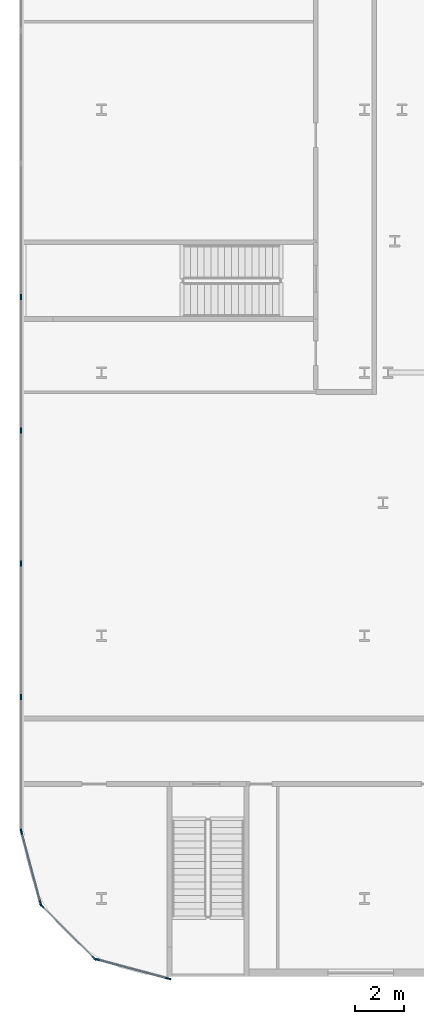
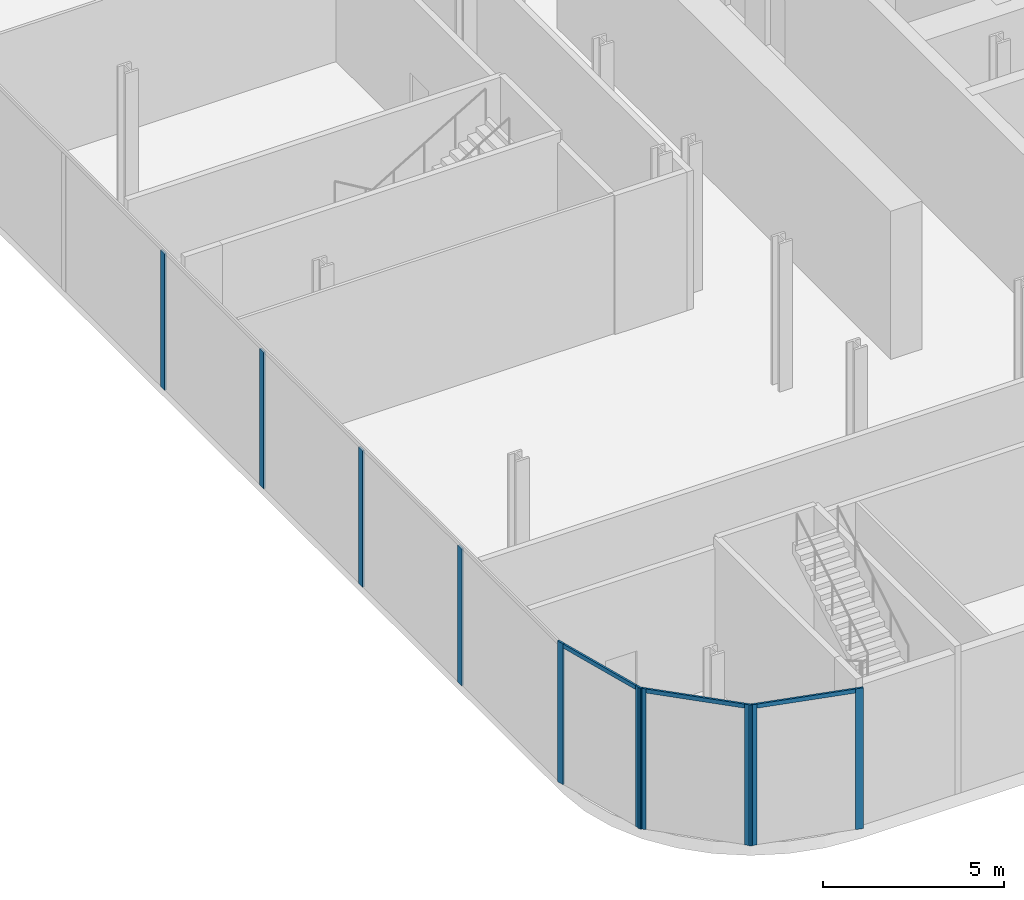
# One storey, part 5 of 47: 13 members, 4 elements without a shape of their own.
"""IFC4 building model written with IfcOpenShell, lengths in metres."""

from ifc_helpers import new_model, si_unit, direction, frame, origin, origin_2d, place, context, subcontext, project, spatial, rectangle, extrude, material, layer, layer_set, material_profile, profile_set, type_object, element, aggregate, save


model = new_model("IFC4")

# Units and contexts
model_context = context("Model", 3, precision=1e-05, world=origin(), true_north=direction((0.0, 1.0)))
body_context = subcontext(model_context, "Body", "Model", "MODEL_VIEW")
ifc_project = project(units=[si_unit("LENGTHUNIT", "METRE"), si_unit("AREAUNIT", "SQUARE_METRE"), si_unit("VOLUMEUNIT", "CUBIC_METRE"), si_unit("PLANEANGLEUNIT", "RADIAN"), si_unit("MASSUNIT", "GRAM", prefix="KILO")], contexts=[model_context])

# Site, building, storey
site_placement = place(None, origin())
site = spatial("IfcSite", under=ifc_project, at=site_placement, CompositionType="ELEMENT")
building_placement = place(site_placement, origin())
building = spatial("IfcBuilding", under=site, at=building_placement, Name="Kheshtan School and Residences Tower", CompositionType="ELEMENT")
storey_placement = place(building_placement, frame((0.0, 0.0, 7.5)))
storey = spatial("IfcBuildingStorey", under=building, at=storey_placement, Name="L01", CompositionType="ELEMENT", Elevation=7.5)

# Curtain wall, members
ifc_material_1 = material(Name="Clear low-e glass in thermally broken aluminium frame", Category="aluminium")
ifc_layer = layer(ifc_material_1, 0.22509765625)
ifc_layer_set = layer_set([ifc_layer], Name="Curtain wall CW-P")
curtain_wall_type = type_object("IfcCurtainWallType", Name="Curtain wall CW-P", PredefinedType="NOTDEFINED", material=ifc_layer_set)
curtain_wall_1_placement = place(storey_placement, origin())
curtain_wall_1 = element("IfcCurtainWall", 1, at=curtain_wall_1_placement, inside=storey, type_object=curtain_wall_type, Name="Curtain wall CWP13", PredefinedType="NOTDEFINED")
ifc_material_2 = material(Name="Thermally broken aluminium, dark bronze anodised", Category="aluminium")
ifc_material_profile_1 = material_profile(ifc_material_2, rectangle(XDim=0.06005859375, YDim=0.22509765625, at=origin_2d()), Name="CW-P mullion 60x225")
ifc_profile_set_1 = profile_set([ifc_material_profile_1], Name="Thermally broken aluminium, dark bronze anodised")
member_type_1 = type_object("IfcMemberType", Name="CW-P mullion 60x225", PredefinedType="MULLION", material=ifc_profile_set_1)
member_1_placement = place(storey_placement, frame((17.945068359375, 9.9111328125, 0.0), z_axis=(0.0, 0.0, 1.0), x_axis=(-0.258864833085, -0.965913556273, 0.0)))
member_1 = element("IfcMember", 2, at=member_1_placement, type_object=member_type_1, Name="CWP13 mullion 1", PredefinedType="MULLION", context=body_context, shape_type="SweptSolid", body=[
    extrude(rectangle(XDim=0.06005859375, YDim=0.22509765625, at=origin_2d()), origin(), (0.0, 0.0, 1.0), 4.75),
])
member_2_placement = place(storey_placement, frame((15.003173828125, 10.69970703125, 0.0), z_axis=(0.0, 0.0, 1.0), x_axis=(-0.258864833085, -0.965913556273, 0.0)))
member_2 = element("IfcMember", 3, at=member_2_placement, type_object=member_type_1, Name="CWP13 mullion 2", PredefinedType="MULLION", context=body_context, shape_type="SweptSolid", body=[
    extrude(rectangle(XDim=0.06005859375, YDim=0.22509765625, at=origin_2d()), origin(), (0.0, 0.0, 1.0), 4.75),
])

curtain_wall_2_placement = place(storey_placement, origin())
curtain_wall_2 = element("IfcCurtainWall", 4, at=curtain_wall_2_placement, inside=storey, type_object=curtain_wall_type, Name="Curtain wall CWP14", PredefinedType="NOTDEFINED")
member_3_placement = place(storey_placement, frame((14.907958984375, 10.75439453125, 0.0), z_axis=(0.0, 0.0, 1.0), x_axis=(-0.707106781187, -0.707106781187, 0.0)))
member_3 = element("IfcMember", 5, at=member_3_placement, type_object=member_type_1, Name="CWP14 mullion 1", PredefinedType="MULLION", context=body_context, shape_type="SweptSolid", body=[
    extrude(rectangle(XDim=0.06005859375, YDim=0.22509765625, at=origin_2d()), origin(), (0.0, 0.0, 1.0), 4.75),
])
member_4_placement = place(storey_placement, frame((12.75439453125, 12.907958984375, 0.0), z_axis=(0.0, 0.0, 1.0), x_axis=(-0.707106781187, -0.707106781187, 0.0)))
member_4 = element("IfcMember", 6, at=member_4_placement, type_object=member_type_1, Name="CWP14 mullion 2", PredefinedType="MULLION", context=body_context, shape_type="SweptSolid", body=[
    extrude(rectangle(XDim=0.06005859375, YDim=0.22509765625, at=origin_2d()), origin(), (0.0, 0.0, 1.0), 4.75),
])

curtain_wall_3_placement = place(storey_placement, origin())
curtain_wall_3 = element("IfcCurtainWall", 7, at=curtain_wall_3_placement, inside=storey, type_object=curtain_wall_type, Name="Curtain wall CWP15", PredefinedType="NOTDEFINED")
member_5_placement = place(storey_placement, frame((12.69970703125, 13.003173828125, 0.0), z_axis=(0.0, 0.0, 1.0), x_axis=(-0.965913556273, -0.258864833085, 0.0)))
member_5 = element("IfcMember", 8, at=member_5_placement, type_object=member_type_1, Name="CWP15 mullion 1", PredefinedType="MULLION", context=body_context, shape_type="SweptSolid", body=[
    extrude(rectangle(XDim=0.06005859375, YDim=0.22509765625, at=origin_2d()), origin(), (0.0, 0.0, 1.0), 4.75),
])
member_6_placement = place(storey_placement, frame((11.9111328125, 15.945068359375, 0.0), z_axis=(0.0, 0.0, 1.0), x_axis=(-0.965913556273, -0.258864833085, 0.0)))
member_6 = element("IfcMember", 9, at=member_6_placement, type_object=member_type_1, Name="CWP15 mullion 2", PredefinedType="MULLION", context=body_context, shape_type="SweptSolid", body=[
    extrude(rectangle(XDim=0.06005859375, YDim=0.22509765625, at=origin_2d()), origin(), (0.0, 0.0, 1.0), 4.75),
])

curtain_wall_4_placement = place(storey_placement, origin())
curtain_wall_4 = element("IfcCurtainWall", 10, at=curtain_wall_4_placement, inside=storey, type_object=curtain_wall_type, Name="Curtain wall CWP16", PredefinedType="NOTDEFINED")
member_7_placement = place(storey_placement, frame((11.89990234375, 21.4755859375, 0.0), z_axis=(0.0, 0.0, 1.0), x_axis=(-1.0, 0.0, 0.0)))
member_7 = element("IfcMember", 11, at=member_7_placement, type_object=member_type_1, Name="CWP16 mullion 2", PredefinedType="MULLION", context=body_context, shape_type="SweptSolid", body=[
    extrude(rectangle(XDim=0.06005859375, YDim=0.22509765625, at=origin_2d()), origin(), (0.0, 0.0, 1.0), 4.610107421875),
])
member_8_placement = place(storey_placement, frame((11.89990234375, 26.951171875, 0.0), z_axis=(0.0, 0.0, 1.0), x_axis=(-1.0, 0.0, 0.0)))
member_8 = element("IfcMember", 12, at=member_8_placement, type_object=member_type_1, Name="CWP16 mullion 3", PredefinedType="MULLION", context=body_context, shape_type="SweptSolid", body=[
    extrude(rectangle(XDim=0.06005859375, YDim=0.22509765625, at=origin_2d()), origin(), (0.0, 0.0, 1.0), 4.610107421875),
])
member_9_placement = place(storey_placement, frame((11.89990234375, 32.4267578125, 0.0), z_axis=(0.0, 0.0, 1.0), x_axis=(-1.0, 0.0, 0.0)))
member_9 = element("IfcMember", 13, at=member_9_placement, type_object=member_type_1, Name="CWP16 mullion 4", PredefinedType="MULLION", context=body_context, shape_type="SweptSolid", body=[
    extrude(rectangle(XDim=0.06005859375, YDim=0.22509765625, at=origin_2d()), origin(), (0.0, 0.0, 1.0), 4.610107421875),
])
member_10_placement = place(storey_placement, frame((11.89990234375, 37.90234375, 0.0), z_axis=(0.0, 0.0, 1.0), x_axis=(-1.0, 0.0, 0.0)))
member_10 = element("IfcMember", 14, at=member_10_placement, type_object=member_type_1, Name="CWP16 mullion 5", PredefinedType="MULLION", context=body_context, shape_type="SweptSolid", body=[
    extrude(rectangle(XDim=0.06005859375, YDim=0.22509765625, at=origin_2d()), origin(), (0.0, 0.0, 1.0), 4.610107421875),
])
aggregate(curtain_wall_4, [member_7, member_8, member_9, member_10])

# Member
ifc_material_profile_2 = material_profile(ifc_material_2, rectangle(XDim=0.06005859375, YDim=0.139892578125, at=origin_2d()), Name="CW-P transom 60x140")
ifc_profile_set_2 = profile_set([ifc_material_profile_2], Name="Thermally broken aluminium, dark bronze anodised")
member_type_2 = type_object("IfcMemberType", Name="CW-P transom 60x140", PredefinedType="USERDEFINED", material=ifc_profile_set_2)
member_11_placement = place(storey_placement, frame((17.916259765625, 9.9189453125, 4.679931640625), z_axis=(-0.965916663607, 0.258853238275, 0.0), x_axis=(-0.258853238275, -0.965916663607, 0.0)))
member_11 = element("IfcMember", 15, at=member_11_placement, type_object=member_type_2, Name="CWP13 transom 1", ObjectType="TRANSOM", PredefinedType="USERDEFINED", context=body_context, shape_type="SweptSolid", body=[
    extrude(rectangle(XDim=0.06005859375, YDim=0.139892578125, at=origin_2d()), origin(), (0.0, 0.0, 1.0), 2.986083984375),
])

aggregate(curtain_wall_1, [member_1, member_2, member_11])

member_12_placement = place(storey_placement, frame((14.886962890625, 10.775634765625, 4.679931640625), z_axis=(-0.707106781187, 0.707106781187, 0.0), x_axis=(-0.707106781187, -0.707106781187, 0.0)))
member_12 = element("IfcMember", 16, at=member_12_placement, type_object=member_type_2, Name="CWP14 transom 1", ObjectType="TRANSOM", PredefinedType="USERDEFINED", context=body_context, shape_type="SweptSolid", body=[
    extrude(rectangle(XDim=0.06005859375, YDim=0.139892578125, at=origin_2d()), origin(), (0.0, 0.0, 1.0), 2.98583984375),
])

aggregate(curtain_wall_2, [member_3, member_4, member_12])

member_13_placement = place(storey_placement, frame((12.69189453125, 13.031982421875, 4.679931640625), z_axis=(-0.258853238275, 0.965916663607, 0.0), x_axis=(-0.965916663607, -0.258853238275, 0.0)))
member_13 = element("IfcMember", 17, at=member_13_placement, type_object=member_type_2, Name="CWP15 transom 1", ObjectType="TRANSOM", PredefinedType="USERDEFINED", context=body_context, shape_type="SweptSolid", body=[
    extrude(rectangle(XDim=0.06005859375, YDim=0.139892578125, at=origin_2d()), origin(), (0.0, 0.0, 1.0), 2.986083984375),
])

aggregate(curtain_wall_3, [member_5, member_6, member_13])

save(model, "model.ifc")
